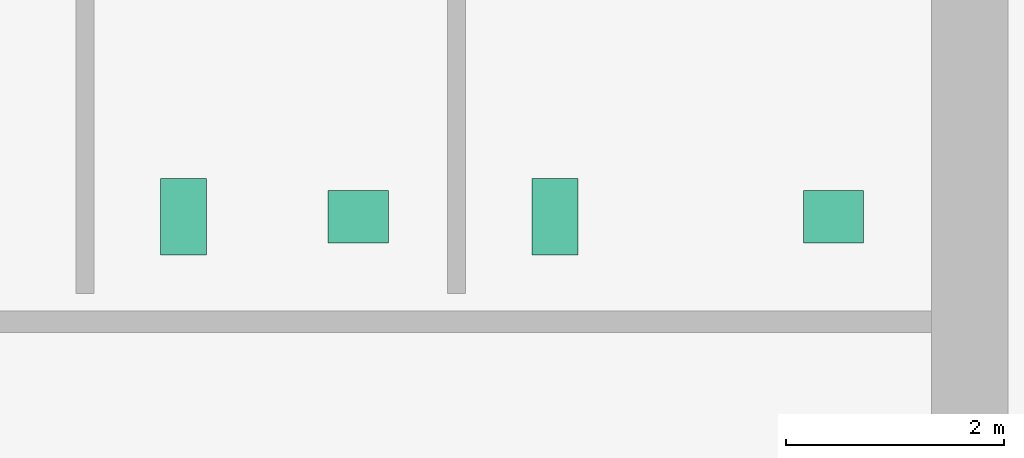
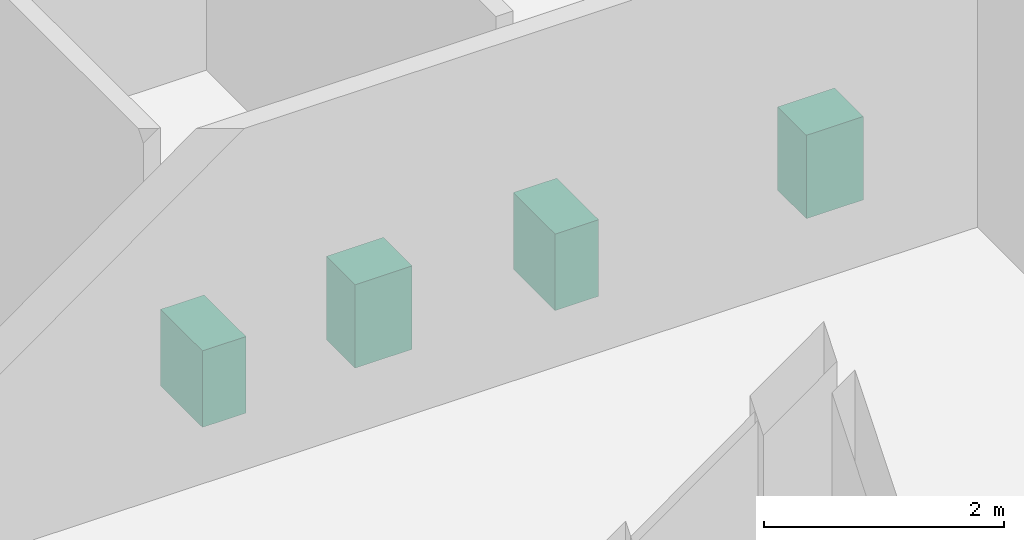
# One storey, part 12 of 12: 4 sanitary terminals.
"""IFC4 building model written with IfcOpenShell, lengths in metres."""

from ifc_helpers import new_model, si_unit, direction, frame, origin, origin_2d, place, context, subcontext, project, spatial, rectangle, extrude, material, type_object, element, save


model = new_model("IFC4")

# Units and contexts
model_context = context("Model", 3, precision=1e-05, world=origin(), true_north=direction((0.0, 1.0)))
body_context = subcontext(model_context, "Body", "Model", "MODEL_VIEW")
ifc_project = project(units=[si_unit("LENGTHUNIT", "METRE"), si_unit("AREAUNIT", "SQUARE_METRE"), si_unit("VOLUMEUNIT", "CUBIC_METRE"), si_unit("PLANEANGLEUNIT", "RADIAN"), si_unit("MASSUNIT", "GRAM", prefix="KILO")], contexts=[model_context])

# Site, building, storey
site_placement = place(None, origin())
site = spatial("IfcSite", under=ifc_project, at=site_placement, CompositionType="ELEMENT")
building_placement = place(site_placement, origin())
building = spatial("IfcBuilding", under=site, at=building_placement, Name="Norrvale University Quadrangle", CompositionType="ELEMENT")
storey_placement = place(building_placement, frame((0.0, 0.0, 147.0)))
storey = spatial("IfcBuildingStorey", under=building, at=storey_placement, Name="L37", CompositionType="ELEMENT", Elevation=147.0)

# Sanitary terminals
ifc_material = material(Name="Vitreous China Sanitaryware")
sanitary_terminal_type_1 = type_object("IfcSanitaryTerminalType", Name="Sanitary Wash Basin", PredefinedType="WASHHANDBASIN", material=ifc_material)
for number, where, z_axis, x_axis, name in (
    (1, (11.199951171875, 41.10009765625, 0.0), (0.0, 0.0, 1.0), (1.0, 0.0, 0.0), "Accessible Countertop Washbasin L37-1"),
    (2, (15.550048828125, 41.10009765625, 0.0), (0.0, 0.0, 1.0), (1.0, 0.0, 0.0), "Accessible Countertop Washbasin L37-2"),
):
    element("IfcSanitaryTerminal", number, at=place(storey_placement, frame(where, z_axis=z_axis, x_axis=x_axis)), inside=storey, type_object=sanitary_terminal_type_1, Name=name, PredefinedType="WASHHANDBASIN", context=body_context, shape_type="SweptSolid", body=[
        extrude(rectangle(XDim=0.550048828125, YDim=0.47998046875, at=origin_2d()), origin(), (0.0, 0.0, 1.0), 0.85009765625),
    ])
sanitary_terminal_type_2 = type_object("IfcSanitaryTerminalType", Name="Sanitary Water Closet", PredefinedType="TOILETPAN", material=ifc_material)
for number, where, z_axis, x_axis, name in (
    (3, (9.60009765625, 41.10009765625, 0.0), (0.0, 0.0, 1.0), (1.0, 0.0, 0.0), "Wall-Hung Water Closet L37-1"),
    (4, (13.0, 41.10009765625, 0.0), (0.0, 0.0, 1.0), (1.0, 0.0, 0.0), "Wall-Hung Water Closet L37-2"),
):
    element("IfcSanitaryTerminal", number, at=place(storey_placement, frame(where, z_axis=z_axis, x_axis=x_axis)), inside=storey, type_object=sanitary_terminal_type_2, Name=name, PredefinedType="TOILETPAN", context=body_context, shape_type="SweptSolid", body=[
        extrude(rectangle(XDim=0.419921875, YDim=0.699951171875, at=origin_2d()), origin(), (0.0, 0.0, 1.0), 0.780029296875),
    ])

save(model, "model.ifc")
